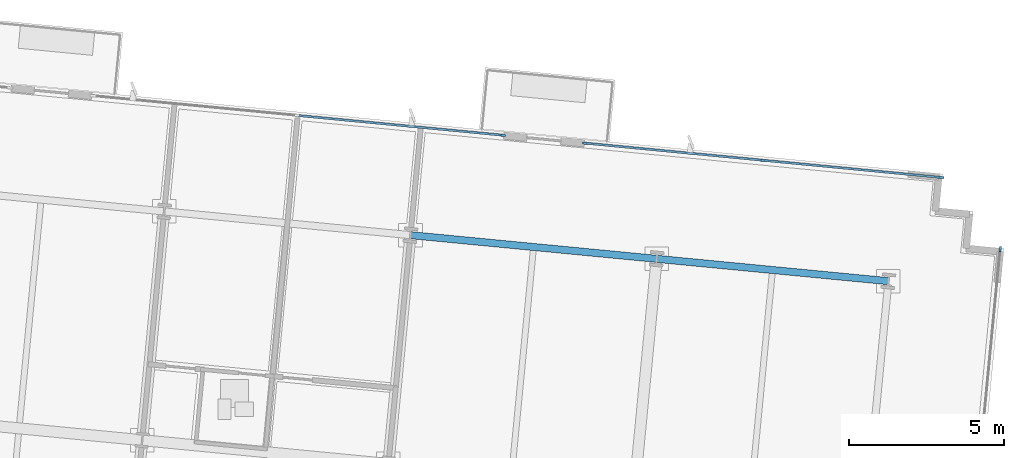
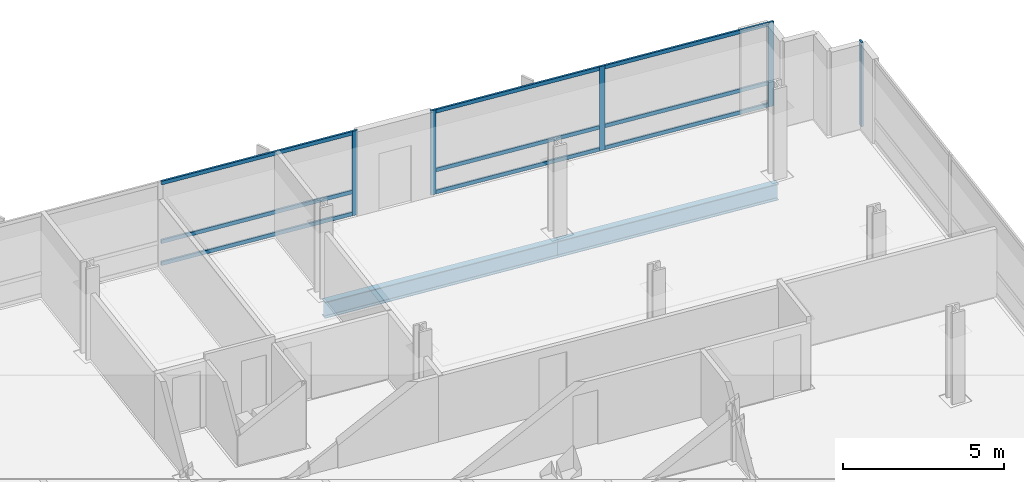
# One storey, part 8 of 17: 14 members, 2 beams, 3 elements without a shape of their own.
"""IFC4 building model written with IfcOpenShell, lengths in metres."""

from ifc_helpers import new_model, si_unit, direction, frame, origin, origin_2d, place, context, subcontext, project, spatial, rectangle, i_section, extrude, material, material_profile, profile_set, type_object, element, aggregate, save


model = new_model("IFC4")

# Units and contexts
model_context = context("Model", 3, precision=1e-05, world=origin(), true_north=direction((0.0, 1.0)))
body_context = subcontext(model_context, "Body", "Model", "MODEL_VIEW")
ifc_project = project(units=[si_unit("LENGTHUNIT", "METRE"), si_unit("AREAUNIT", "SQUARE_METRE"), si_unit("VOLUMEUNIT", "CUBIC_METRE"), si_unit("PLANEANGLEUNIT", "RADIAN"), si_unit("MASSUNIT", "GRAM", prefix="KILO")], contexts=[model_context])

# Site, building, storey
site_placement = place(None, origin())
site = spatial("IfcSite", under=ifc_project, at=site_placement, CompositionType="ELEMENT")
building_placement = place(site_placement, origin())
building = spatial("IfcBuilding", under=site, at=building_placement, Name="Solmavex Isthmus Hotel", CompositionType="ELEMENT")
storey_placement = place(building_placement, frame((0.0, 0.0, 153.14990234375)))
storey = spatial("IfcBuildingStorey", under=building, at=storey_placement, Name="L41", CompositionType="ELEMENT", Elevation=153.14990234375)

# Beams
ifc_material_1 = material(Name="Steel ASTM A992 Grade 50", Category="steel")
ifc_material_profile_1 = material_profile(ifc_material_1, i_section(OverallWidth=0.230224609375, OverallDepth=0.617431640625, WebThickness=0.01318359375, FlangeThickness=0.022216796875, FilletRadius=0.01513671875, at=origin_2d()), Name="W24X94")
ifc_profile_set_1 = profile_set([ifc_material_profile_1], Name="Steel ASTM A992 Grade 50")
beam_type = type_object("IfcBeamType", Name="BM-SP-W24X94", PredefinedType="SPANDREL", material=ifc_profile_set_1)
beam_1_placement = place(storey_placement, frame((9.1953125, 17.966552734375, -0.568603515625), z_axis=(0.995397440011, -0.095832856685, 0.0), x_axis=(0.095832856685, 0.995397440011, 0.0)))
element("IfcBeam", 1, at=beam_1_placement, inside=storey, type_object=beam_type, Name="Floor Girder L41-UG19", PredefinedType="SPANDREL", context=body_context, shape_type="SweptSolid", body=[
    extrude(i_section(OverallWidth=0.230224609375, OverallDepth=0.617431640625, WebThickness=0.01318359375, FlangeThickness=0.022216796875, FilletRadius=0.01513671875, at=origin_2d()), origin(), (0.0, 0.0, 1.0), 7.9560546875),
])
beam_2_placement = place(storey_placement, frame((17.11474609375, 17.2041015625, -0.568603515625), z_axis=(0.995395279593, -0.095855293875, 0.0), x_axis=(0.095855293875, 0.995395279593, 0.0)))
element("IfcBeam", 2, at=beam_2_placement, inside=storey, type_object=beam_type, Name="Floor Girder L41-UG20", PredefinedType="SPANDREL", context=body_context, shape_type="SweptSolid", body=[
    extrude(i_section(OverallWidth=0.230224609375, OverallDepth=0.617431640625, WebThickness=0.01318359375, FlangeThickness=0.022216796875, FilletRadius=0.01513671875, at=origin_2d()), origin(), (0.0, 0.0, 1.0), 7.488037109375),
])

# Curtain wall, member
ifc_material_2 = material(Name="Aluminium alloy 6063-T6", Category="aluminium")
curtain_wall_type = type_object("IfcCurtainWallType", Name="CW-SYS-03", PredefinedType="NOTDEFINED", material=ifc_material_2)
curtain_wall_1_placement = place(storey_placement, origin())
curtain_wall_1 = element("IfcCurtainWall", 3, at=curtain_wall_1_placement, inside=storey, type_object=curtain_wall_type, Name="Stick Curtain Wall CWL-L41-N2", PredefinedType="NOTDEFINED")
ifc_material_profile_2 = material_profile(ifc_material_2, rectangle(XDim=0.070068359375, YDim=0.179931640625, at=origin_2d()), Name="CWM-70X180")
ifc_profile_set_2 = profile_set([ifc_material_profile_2], Name="Aluminium alloy 6063-T6")
member_type_1 = type_object("IfcMemberType", Name="CW-SYS-03-MUL", PredefinedType="MULLION", material=ifc_profile_set_2)
member_1_placement = place(storey_placement, frame((12.15966796875, 21.17724609375, 0.0), z_axis=(0.0, 0.0, 1.0), x_axis=(0.095845138178, 0.995396257521, 0.0)))
member_1 = element("IfcMember", 4, at=member_1_placement, type_object=member_type_1, Name="CW-03 mullion 3", PredefinedType="MULLION", context=body_context, shape_type="SweptSolid", body=[
    extrude(rectangle(XDim=0.070068359375, YDim=0.179931640625, at=origin_2d()), origin(), (0.0, 0.0, 1.0), 3.190185546875),
])

# Curtain wall, members
curtain_wall_2_placement = place(storey_placement, origin())
curtain_wall_2 = element("IfcCurtainWall", 5, at=curtain_wall_2_placement, inside=storey, type_object=curtain_wall_type, Name="Stick Curtain Wall CWL-L41-N3", PredefinedType="NOTDEFINED")
member_2_placement = place(storey_placement, frame((14.8173828125, 20.92138671875, 0.0), z_axis=(0.0, 0.0, 1.0), x_axis=(0.095845603495, 0.995396212717, 0.0)))
member_2 = element("IfcMember", 6, at=member_2_placement, type_object=member_type_1, Name="CW-03 mullion 1", PredefinedType="MULLION", context=body_context, shape_type="SweptSolid", body=[
    extrude(rectangle(XDim=0.070068359375, YDim=0.179931640625, at=origin_2d()), origin(), (0.0, 0.0, 1.0), 3.190185546875),
])
member_3_placement = place(storey_placement, frame((20.5390625, 20.370361328125, 0.0), z_axis=(0.0, 0.0, 1.0), x_axis=(0.095845603495, 0.995396212717, 0.0)))
member_3 = element("IfcMember", 7, at=member_3_placement, type_object=member_type_1, Name="CW-03 mullion 2", PredefinedType="MULLION", context=body_context, shape_type="SweptSolid", body=[
    extrude(rectangle(XDim=0.070068359375, YDim=0.179931640625, at=origin_2d()), origin(), (0.0, 0.0, 1.0), 3.190185546875),
])
member_4_placement = place(storey_placement, frame((26.260498046875, 19.819580078125, 0.0), z_axis=(0.0, 0.0, 1.0), x_axis=(0.095845603495, 0.995396212717, 0.0)))
member_4 = element("IfcMember", 8, at=member_4_placement, type_object=member_type_1, Name="CW-03 mullion 3", PredefinedType="MULLION", context=body_context, shape_type="SweptSolid", body=[
    extrude(rectangle(XDim=0.070068359375, YDim=0.179931640625, at=origin_2d()), origin(), (0.0, 0.0, 1.0), 3.190185546875),
])

# Curtain wall, member
curtain_wall_3_placement = place(storey_placement, origin())
curtain_wall_3 = element("IfcCurtainWall", 9, at=curtain_wall_3_placement, inside=storey, type_object=curtain_wall_type, Name="Stick Curtain Wall CWL-L41-E1", PredefinedType="NOTDEFINED")
member_5_placement = place(storey_placement, frame((28.1630859375, 17.511474609375, 0.0), z_axis=(0.0, 0.0, 1.0), x_axis=(-0.995396190038, 0.09584583902, 0.0)))
member_5 = element("IfcMember", 10, at=member_5_placement, type_object=member_type_1, Name="CW-03 mullion 6", PredefinedType="MULLION", context=body_context, shape_type="SweptSolid", body=[
    extrude(rectangle(XDim=0.070068359375, YDim=0.179931640625, at=origin_2d()), origin(), (0.0, 0.0, 1.0), 3.190185546875),
])
aggregate(curtain_wall_3, [member_5])

# Member
ifc_material_profile_3 = material_profile(ifc_material_2, rectangle(XDim=0.070068359375, YDim=0.139892578125, at=origin_2d()), Name="CWT-70X140")
ifc_profile_set_3 = profile_set([ifc_material_profile_3], Name="Aluminium alloy 6063-T6")
member_type_2 = type_object("IfcMemberType", Name="CW-SYS-03-TRN", PredefinedType="USERDEFINED", material=ifc_profile_set_3)
member_6_placement = place(storey_placement, frame((5.60400390625, 21.808349609375, 0.070068359375), z_axis=(0.995399328313, -0.095813241224, 0.0), x_axis=(0.095813241224, 0.995399328313, 0.0)))
member_6 = element("IfcMember", 11, at=member_6_placement, type_object=member_type_2, Name="CW-03 transom 2.1", ObjectType="TRANSOM", PredefinedType="USERDEFINED", context=body_context, shape_type="SweptSolid", body=[
    extrude(rectangle(XDim=0.070068359375, YDim=0.139892578125, at=origin_2d()), origin(), (0.0, 0.0, 1.0), 6.551025390625),
])

member_7_placement = place(storey_placement, frame((5.60400390625, 21.808349609375, 0.900146484375), z_axis=(0.995399328313, -0.095813241224, 0.0), x_axis=(0.095813241224, 0.995399328313, 0.0)))
member_7 = element("IfcMember", 12, at=member_7_placement, type_object=member_type_2, Name="CW-03 transom 2.2", ObjectType="TRANSOM", PredefinedType="USERDEFINED", context=body_context, shape_type="SweptSolid", body=[
    extrude(rectangle(XDim=0.070068359375, YDim=0.139892578125, at=origin_2d()), origin(), (0.0, 0.0, 1.0), 6.551025390625),
])

member_8_placement = place(storey_placement, frame((5.60400390625, 21.808349609375, 3.1201171875), z_axis=(0.995399328313, -0.095813241224, 0.0), x_axis=(0.095813241224, 0.995399328313, 0.0)))
member_8 = element("IfcMember", 13, at=member_8_placement, type_object=member_type_2, Name="CW-03 transom 2.3", ObjectType="TRANSOM", PredefinedType="USERDEFINED", context=body_context, shape_type="SweptSolid", body=[
    extrude(rectangle(XDim=0.070068359375, YDim=0.139892578125, at=origin_2d()), origin(), (0.0, 0.0, 1.0), 6.551025390625),
])

aggregate(curtain_wall_1, [member_1, member_6, member_7, member_8])

member_9_placement = place(storey_placement, frame((14.852294921875, 20.91796875, 0.070068359375), z_axis=(0.995396573568, -0.095841855831, 0.0), x_axis=(0.095841855831, 0.995396573568, 0.0)))
member_9 = element("IfcMember", 14, at=member_9_placement, type_object=member_type_2, Name="CW-03 transom 1.1", ObjectType="TRANSOM", PredefinedType="USERDEFINED", context=body_context, shape_type="SweptSolid", body=[
    extrude(rectangle(XDim=0.070068359375, YDim=0.139892578125, at=origin_2d()), origin(), (0.0, 0.0, 1.0), 5.677978515625),
])

member_10_placement = place(storey_placement, frame((14.852294921875, 20.91796875, 0.900146484375), z_axis=(0.995396573568, -0.095841855831, 0.0), x_axis=(0.095841855831, 0.995396573568, 0.0)))
member_10 = element("IfcMember", 15, at=member_10_placement, type_object=member_type_2, Name="CW-03 transom 1.2", ObjectType="TRANSOM", PredefinedType="USERDEFINED", context=body_context, shape_type="SweptSolid", body=[
    extrude(rectangle(XDim=0.070068359375, YDim=0.139892578125, at=origin_2d()), origin(), (0.0, 0.0, 1.0), 5.677978515625),
])

member_11_placement = place(storey_placement, frame((14.852294921875, 20.91796875, 3.1201171875), z_axis=(0.995396573568, -0.095841855831, 0.0), x_axis=(0.095841855831, 0.995396573568, 0.0)))
member_11 = element("IfcMember", 16, at=member_11_placement, type_object=member_type_2, Name="CW-03 transom 1.3", ObjectType="TRANSOM", PredefinedType="USERDEFINED", context=body_context, shape_type="SweptSolid", body=[
    extrude(rectangle(XDim=0.070068359375, YDim=0.139892578125, at=origin_2d()), origin(), (0.0, 0.0, 1.0), 5.677978515625),
])

member_12_placement = place(storey_placement, frame((20.573974609375, 20.366943359375, 0.070068359375), z_axis=(0.995396573568, -0.095841855831, 0.0), x_axis=(0.095841855831, 0.995396573568, 0.0)))
member_12 = element("IfcMember", 17, at=member_12_placement, type_object=member_type_2, Name="CW-03 transom 2.1", ObjectType="TRANSOM", PredefinedType="USERDEFINED", context=body_context, shape_type="SweptSolid", body=[
    extrude(rectangle(XDim=0.070068359375, YDim=0.139892578125, at=origin_2d()), origin(), (0.0, 0.0, 1.0), 5.677978515625),
])

member_13_placement = place(storey_placement, frame((20.573974609375, 20.366943359375, 0.900146484375), z_axis=(0.995396573568, -0.095841855831, 0.0), x_axis=(0.095841855831, 0.995396573568, 0.0)))
member_13 = element("IfcMember", 18, at=member_13_placement, type_object=member_type_2, Name="CW-03 transom 2.2", ObjectType="TRANSOM", PredefinedType="USERDEFINED", context=body_context, shape_type="SweptSolid", body=[
    extrude(rectangle(XDim=0.070068359375, YDim=0.139892578125, at=origin_2d()), origin(), (0.0, 0.0, 1.0), 5.677978515625),
])

member_14_placement = place(storey_placement, frame((20.573974609375, 20.366943359375, 3.1201171875), z_axis=(0.995396573568, -0.095841855831, 0.0), x_axis=(0.095841855831, 0.995396573568, 0.0)))
member_14 = element("IfcMember", 19, at=member_14_placement, type_object=member_type_2, Name="CW-03 transom 2.3", ObjectType="TRANSOM", PredefinedType="USERDEFINED", context=body_context, shape_type="SweptSolid", body=[
    extrude(rectangle(XDim=0.070068359375, YDim=0.139892578125, at=origin_2d()), origin(), (0.0, 0.0, 1.0), 5.677978515625),
])

aggregate(curtain_wall_2, [member_2, member_3, member_4, member_9, member_10, member_11, member_12, member_13, member_14])

save(model, "model.ifc")
